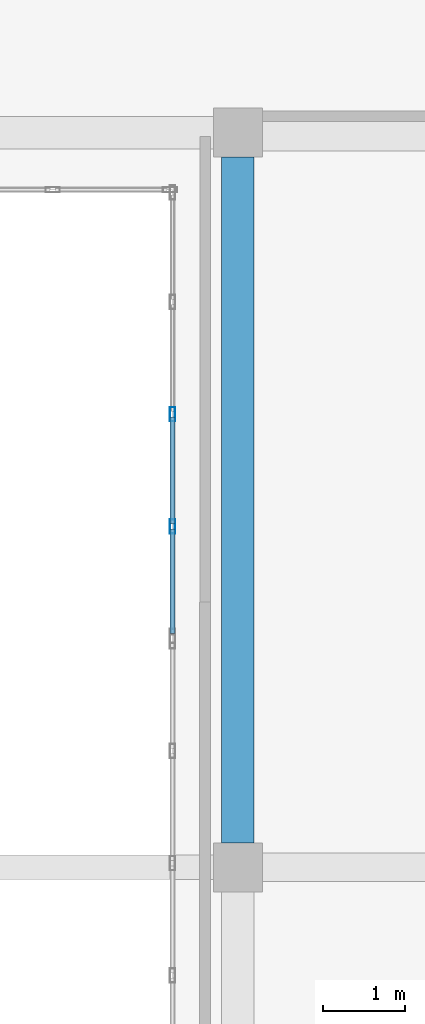
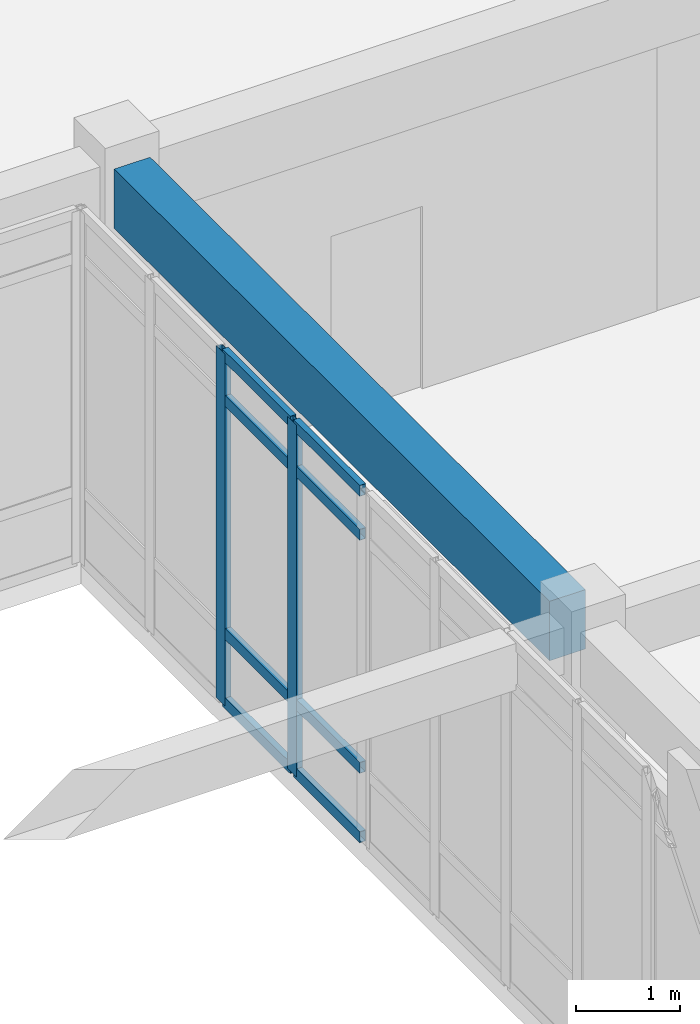
# One storey, part 88 of 142: 10 members, 1 beam, 1 element without a shape of its own.
"""IFC4 building model written with IfcOpenShell, lengths in metres."""

from ifc_helpers import new_model, si_unit, direction, frame, origin, origin_2d, place, context, subcontext, project, spatial, rectangle, hollow_rectangle, extrude, material, layer, layer_set, material_profile, profile_set, type_object, element, aggregate, save


model = new_model("IFC4")

# Units and contexts
model_context = context("Model", 3, precision=1e-05, world=origin(), true_north=direction((0.0, 1.0)))
body_context = subcontext(model_context, "Body", "Model", "MODEL_VIEW")
ifc_project = project(units=[si_unit("LENGTHUNIT", "METRE"), si_unit("AREAUNIT", "SQUARE_METRE"), si_unit("VOLUMEUNIT", "CUBIC_METRE"), si_unit("PLANEANGLEUNIT", "RADIAN"), si_unit("MASSUNIT", "GRAM", prefix="KILO")], contexts=[model_context])

# Site, building, storey
site_placement = place(None, origin())
site = spatial("IfcSite", under=ifc_project, at=site_placement, CompositionType="ELEMENT")
building_placement = place(site_placement, origin())
building = spatial("IfcBuilding", under=site, at=building_placement, Name="Valcora Specialist Clinic", CompositionType="ELEMENT")
storey_placement = place(building_placement, frame((0.0, 0.0, 5.10009765625)))
storey = spatial("IfcBuildingStorey", under=building, at=storey_placement, Name="L01", CompositionType="ELEMENT", Elevation=5.10009765625)

# Beam
ifc_material_1 = material(Name="Concrete C40/50", Category="concrete")
ifc_material_profile_1 = material_profile(ifc_material_1, rectangle(XDim=0.39990234375, YDim=0.699951171875, at=origin_2d()), Name="RC-BM-400X700")
ifc_profile_set_1 = profile_set([ifc_material_profile_1], Name="Concrete C40/50")
beam_type = type_object("IfcBeamType", Name="TY-BM-RC400X700", PredefinedType="BEAM", material=ifc_profile_set_1)
beam_placement = place(storey_placement, frame((126.0, 90.5, 3.794921875), z_axis=(0.0, 1.0, 0.0), x_axis=(-1.0, 0.0, 0.0)))
element("IfcBeam", 1, at=beam_placement, inside=storey, type_object=beam_type, Name="Beam BM-L01-0686", PredefinedType="BEAM", context=body_context, shape_type="SweptSolid", body=[
    extrude(rectangle(XDim=0.39990234375, YDim=0.699951171875, at=origin_2d()), origin(), (0.0, 0.0, 1.0), 8.39990234375),
])

# Curtain wall, members
ifc_material_2 = material(Name="Anodized Bronze Aluminium 6063-T6", Category="aluminium")
ifc_layer = layer(ifc_material_2, 0.175048828125)
ifc_layer_set = layer_set([ifc_layer], Name="Anodized Bronze Aluminium 6063-T6")
curtain_wall_type = type_object("IfcCurtainWallType", Name="TY-CW-CRT15", PredefinedType="NOTDEFINED", material=ifc_layer_set)
curtain_wall_placement = place(storey_placement, origin())
curtain_wall = element("IfcCurtainWall", 2, at=curtain_wall_placement, inside=storey, type_object=curtain_wall_type, Name="Curtain wall CW-L01-078", PredefinedType="NOTDEFINED")
ifc_material_profile_2 = material_profile(ifc_material_2, hollow_rectangle(XDim=0.06494140625, YDim=0.175048828125, WallThickness=0.00390625, at=origin_2d()), Name="AL-MUL-65X175")
ifc_profile_set_2 = profile_set([ifc_material_profile_2], Name="Anodized Bronze Aluminium 6063-T6")
member_type_1 = type_object("IfcMemberType", Name="TY-CWM-65X175", PredefinedType="MULLION", material=ifc_profile_set_2)
member_1_placement = place(storey_placement, frame((125.199951171875, 94.375, 0.0), z_axis=(0.0, 0.0, 1.0), x_axis=(-1.0, 0.0, 0.0)))
member_1 = element("IfcMember", 3, at=member_1_placement, type_object=member_type_1, Name="CW-CRT-15 mullion 2", PredefinedType="MULLION", context=body_context, shape_type="SweptSolid", body=[
    extrude(hollow_rectangle(XDim=0.06494140625, YDim=0.175048828125, WallThickness=0.00390625, at=origin_2d()), origin(), (0.0, 0.0, 1.0), 4.14501953125),
])
member_2_placement = place(storey_placement, frame((125.199951171875, 95.75, 0.0), z_axis=(0.0, 0.0, 1.0), x_axis=(-1.0, 0.0, 0.0)))
member_2 = element("IfcMember", 4, at=member_2_placement, type_object=member_type_1, Name="CW-CRT-15 mullion 3", PredefinedType="MULLION", context=body_context, shape_type="SweptSolid", body=[
    extrude(hollow_rectangle(XDim=0.06494140625, YDim=0.175048828125, WallThickness=0.00390625, at=origin_2d()), origin(), (0.0, 0.0, 1.0), 4.14501953125),
])
ifc_material_profile_3 = material_profile(ifc_material_2, hollow_rectangle(XDim=0.06494140625, YDim=0.1298828125, WallThickness=0.00390625, at=origin_2d()), Name="AL-TRN-65X130")
ifc_profile_set_3 = profile_set([ifc_material_profile_3], Name="Anodized Bronze Aluminium 6063-T6")
member_type_2 = type_object("IfcMemberType", Name="TY-CWT-65X130", PredefinedType="USERDEFINED", material=ifc_profile_set_3)
member_3_placement = place(storey_placement, frame((125.199951171875, 93.06494140625, 0.032470703125), z_axis=(0.0, 1.0, 0.0), x_axis=(-1.0, 0.0, 0.0)))
member_3 = element("IfcMember", 5, at=member_3_placement, type_object=member_type_2, Name="CW-CRT-15 transom 1.1", ObjectType="TRANSOM", PredefinedType="USERDEFINED", context=body_context, shape_type="SweptSolid", body=[
    extrude(hollow_rectangle(XDim=0.06494140625, YDim=0.1298828125, WallThickness=0.00390625, at=origin_2d()), origin(), (0.0, 0.0, 1.0), 1.277587890625),
])
member_4_placement = place(storey_placement, frame((125.199951171875, 93.06494140625, 0.849853515625), z_axis=(0.0, 1.0, 0.0), x_axis=(-1.0, 0.0, 0.0)))
member_4 = element("IfcMember", 6, at=member_4_placement, type_object=member_type_2, Name="CW-CRT-15 transom 1.2", ObjectType="TRANSOM", PredefinedType="USERDEFINED", context=body_context, shape_type="SweptSolid", body=[
    extrude(hollow_rectangle(XDim=0.06494140625, YDim=0.1298828125, WallThickness=0.00390625, at=origin_2d()), origin(), (0.0, 0.0, 1.0), 1.277587890625),
])
member_5_placement = place(storey_placement, frame((125.199951171875, 93.06494140625, 3.594970703125), z_axis=(0.0, 1.0, 0.0), x_axis=(-1.0, 0.0, 0.0)))
member_5 = element("IfcMember", 7, at=member_5_placement, type_object=member_type_2, Name="CW-CRT-15 transom 1.3", ObjectType="TRANSOM", PredefinedType="USERDEFINED", context=body_context, shape_type="SweptSolid", body=[
    extrude(hollow_rectangle(XDim=0.06494140625, YDim=0.1298828125, WallThickness=0.00390625, at=origin_2d()), origin(), (0.0, 0.0, 1.0), 1.277587890625),
])
member_6_placement = place(storey_placement, frame((125.199951171875, 93.06494140625, 4.1123046875), z_axis=(0.0, 1.0, 0.0), x_axis=(-1.0, 0.0, 0.0)))
member_6 = element("IfcMember", 8, at=member_6_placement, type_object=member_type_2, Name="CW-CRT-15 transom 1.4", ObjectType="TRANSOM", PredefinedType="USERDEFINED", context=body_context, shape_type="SweptSolid", body=[
    extrude(hollow_rectangle(XDim=0.06494140625, YDim=0.1298828125, WallThickness=0.00390625, at=origin_2d()), origin(), (0.0, 0.0, 1.0), 1.277587890625),
])
member_7_placement = place(storey_placement, frame((125.199951171875, 94.407470703125, 0.032470703125), z_axis=(0.0, 1.0, 0.0), x_axis=(-1.0, 0.0, 0.0)))
member_7 = element("IfcMember", 9, at=member_7_placement, type_object=member_type_2, Name="CW-CRT-15 transom 2.1", ObjectType="TRANSOM", PredefinedType="USERDEFINED", context=body_context, shape_type="SweptSolid", body=[
    extrude(hollow_rectangle(XDim=0.06494140625, YDim=0.1298828125, WallThickness=0.00390625, at=origin_2d()), origin(), (0.0, 0.0, 1.0), 1.31005859375),
])
member_8_placement = place(storey_placement, frame((125.199951171875, 94.407470703125, 0.849853515625), z_axis=(0.0, 1.0, 0.0), x_axis=(-1.0, 0.0, 0.0)))
member_8 = element("IfcMember", 10, at=member_8_placement, type_object=member_type_2, Name="CW-CRT-15 transom 2.2", ObjectType="TRANSOM", PredefinedType="USERDEFINED", context=body_context, shape_type="SweptSolid", body=[
    extrude(hollow_rectangle(XDim=0.06494140625, YDim=0.1298828125, WallThickness=0.00390625, at=origin_2d()), origin(), (0.0, 0.0, 1.0), 1.31005859375),
])
member_9_placement = place(storey_placement, frame((125.199951171875, 94.407470703125, 3.594970703125), z_axis=(0.0, 1.0, 0.0), x_axis=(-1.0, 0.0, 0.0)))
member_9 = element("IfcMember", 11, at=member_9_placement, type_object=member_type_2, Name="CW-CRT-15 transom 2.3", ObjectType="TRANSOM", PredefinedType="USERDEFINED", context=body_context, shape_type="SweptSolid", body=[
    extrude(hollow_rectangle(XDim=0.06494140625, YDim=0.1298828125, WallThickness=0.00390625, at=origin_2d()), origin(), (0.0, 0.0, 1.0), 1.31005859375),
])
member_10_placement = place(storey_placement, frame((125.199951171875, 94.407470703125, 4.1123046875), z_axis=(0.0, 1.0, 0.0), x_axis=(-1.0, 0.0, 0.0)))
member_10 = element("IfcMember", 12, at=member_10_placement, type_object=member_type_2, Name="CW-CRT-15 transom 2.4", ObjectType="TRANSOM", PredefinedType="USERDEFINED", context=body_context, shape_type="SweptSolid", body=[
    extrude(hollow_rectangle(XDim=0.06494140625, YDim=0.1298828125, WallThickness=0.00390625, at=origin_2d()), origin(), (0.0, 0.0, 1.0), 1.31005859375),
])
aggregate(curtain_wall, [member_1, member_2, member_3, member_4, member_5, member_6, member_7, member_8, member_9, member_10])

save(model, "model.ifc")
